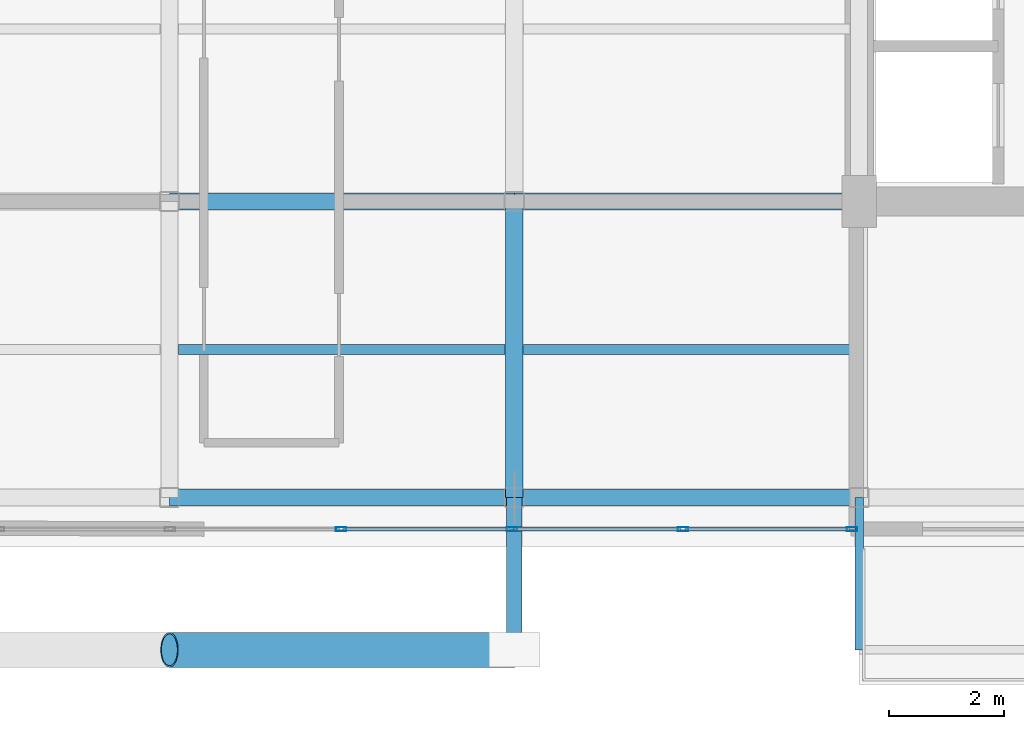
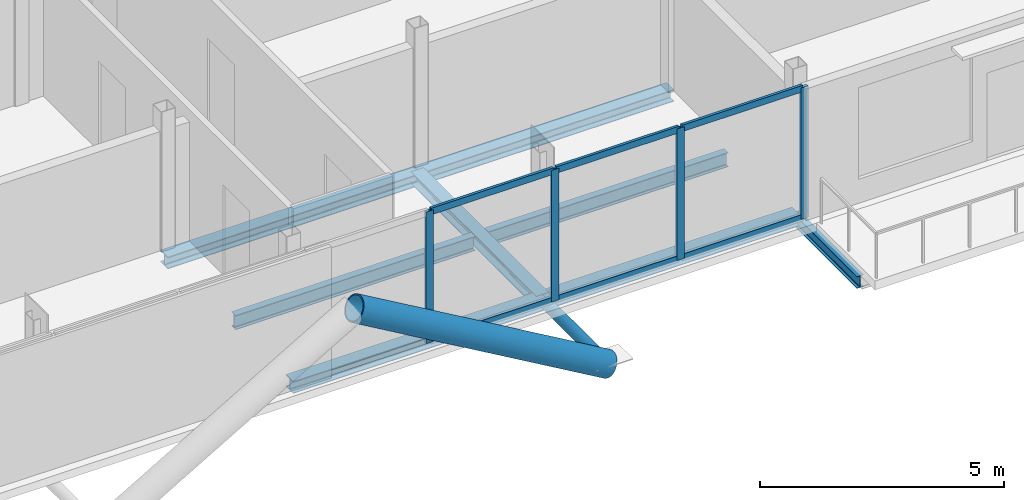
# One storey, part 5 of 19: 12 members, 8 beams, 1 element without a shape of its own.
"""IFC4 building model written with IfcOpenShell, lengths in metres."""

from ifc_helpers import new_model, si_unit, direction, frame, origin, origin_2d, place, context, subcontext, project, spatial, hollow_rectangle, hollow_circle, i_section, extrude, material, layer, layer_set, material_profile, profile_set, type_object, element, aggregate, save


model = new_model("IFC4")

# Units and contexts
model_context = context("Model", 3, precision=1e-05, world=origin(), true_north=direction((0.0, 1.0)))
body_context = subcontext(model_context, "Body", "Model", "MODEL_VIEW")
ifc_project = project(units=[si_unit("LENGTHUNIT", "METRE"), si_unit("AREAUNIT", "SQUARE_METRE"), si_unit("VOLUMEUNIT", "CUBIC_METRE"), si_unit("PLANEANGLEUNIT", "RADIAN"), si_unit("MASSUNIT", "GRAM", prefix="KILO"), si_unit("THERMODYNAMICTEMPERATUREUNIT", "KELVIN"), si_unit("POWERUNIT", "WATT")], contexts=[model_context])

# Site, building, storey
site_placement = place(None, origin())
site = spatial("IfcSite", under=ifc_project, at=site_placement, CompositionType="ELEMENT")
building_placement = place(site_placement, origin())
building = spatial("IfcBuilding", under=site, at=building_placement, Name="Svarakhadi Broadcast Tower", CompositionType="ELEMENT")
storey_placement = place(building_placement, frame((0.0, 0.0, 285.199951171875)))
storey = spatial("IfcBuildingStorey", under=building, at=storey_placement, Name="L72", CompositionType="ELEMENT", Elevation=285.199951171875)

# Beams
ifc_material_1 = material(Name="Steel S355J2 (IS 2062 E350C)", Category="steel")
ifc_material_profile_1 = material_profile(ifc_material_1, i_section(OverallWidth=0.169921875, OverallDepth=0.360107421875, WebThickness=0.008056640625, FlangeThickness=0.0126953125, FilletRadius=0.01806640625, at=origin_2d()), Name="NPB 360x170x57")
ifc_profile_set_1 = profile_set([ifc_material_profile_1], Name="Steel S355J2 (IS 2062 E350C)")
beam_type_1 = type_object("IfcBeamType", Name="Beam_NPB360", PredefinedType="BEAM", material=ifc_profile_set_1)
for number, where, z_axis, x_axis, name in (
    (1, (12.159912109375, 3.425048828125, -0.3798828125), (1.0, 0.0, 0.0), (0.0, 1.0, 0.0), "L72 Secondary Composite Beam SB007"),
    (2, (18.159912109375, 3.425048828125, -0.3798828125), (1.0, 0.0, 0.0), (0.0, 1.0, 0.0), "L72 Secondary Composite Beam SB010"),
):
    element("IfcBeam", number, at=place(storey_placement, frame(where, z_axis=z_axis, x_axis=x_axis)), inside=storey, type_object=beam_type_1, Name=name, PredefinedType="BEAM", context=body_context, shape_type="SweptSolid", body=[
        extrude(i_section(OverallWidth=0.169921875, OverallDepth=0.360107421875, WebThickness=0.008056640625, FlangeThickness=0.0126953125, FilletRadius=0.01806640625, at=origin_2d()), origin(), (0.0, 0.0, 1.0), 5.68017578125),
    ])

# Curtain wall, members
ifc_material_2 = material(Name="Anodised Bronze Aluminium AA 6063-T6", Category="aluminium")
ifc_layer = layer(ifc_material_2, 0.179931640625)
ifc_layer_set = layer_set([ifc_layer], Name="Anodised Bronze Aluminium AA 6063-T6")
curtain_wall_type = type_object("IfcCurtainWallType", Name="CW_Sys_05", PredefinedType="NOTDEFINED", material=ifc_layer_set)
curtain_wall_placement = place(storey_placement, origin())
curtain_wall = element("IfcCurtainWall", 3, at=curtain_wall_placement, inside=storey, type_object=curtain_wall_type, Name="L72 South Curtain Wall 15", PredefinedType="NOTDEFINED")
ifc_material_profile_2 = material_profile(ifc_material_2, hollow_rectangle(XDim=0.070068359375, YDim=0.179931640625, WallThickness=0.005615234375, at=origin_2d()), Name="ALU MULLION 180x70x6")
ifc_profile_set_2 = profile_set([ifc_material_profile_2], Name="Anodised Bronze Aluminium AA 6063-T6")
member_type_1 = type_object("IfcMemberType", Name="CW_Sys_05_Mul", PredefinedType="MULLION", material=ifc_profile_set_2)
member_1_placement = place(storey_placement, frame((23.875, 0.300048828125, 0.0), z_axis=(0.0, 0.0, 1.0), x_axis=(0.0, -1.0, 0.0)))
member_1 = element("IfcMember", 4, at=member_1_placement, type_object=member_type_1, Name="CW-05 mullion 1", PredefinedType="MULLION", context=body_context, shape_type="SweptSolid", body=[
    extrude(hollow_rectangle(XDim=0.070068359375, YDim=0.179931640625, WallThickness=0.005615234375, at=origin_2d()), origin(), (0.0, 0.0, 1.0), 3.300048828125),
])
member_2_placement = place(storey_placement, frame((20.935791015625, 0.300048828125, 0.0), z_axis=(0.0, 0.0, 1.0), x_axis=(0.0, -1.0, 0.0)))
member_2 = element("IfcMember", 5, at=member_2_placement, type_object=member_type_1, Name="CW-05 mullion 2", PredefinedType="MULLION", context=body_context, shape_type="SweptSolid", body=[
    extrude(hollow_rectangle(XDim=0.070068359375, YDim=0.179931640625, WallThickness=0.005615234375, at=origin_2d()), origin(), (0.0, 0.0, 1.0), 3.300048828125),
])
member_3_placement = place(storey_placement, frame((17.96142578125, 0.300048828125, 0.0), z_axis=(0.0, 0.0, 1.0), x_axis=(0.0, -1.0, 0.0)))
member_3 = element("IfcMember", 6, at=member_3_placement, type_object=member_type_1, Name="CW-05 mullion 3", PredefinedType="MULLION", context=body_context, shape_type="SweptSolid", body=[
    extrude(hollow_rectangle(XDim=0.070068359375, YDim=0.179931640625, WallThickness=0.005615234375, at=origin_2d()), origin(), (0.0, 0.0, 1.0), 3.300048828125),
])
member_4_placement = place(storey_placement, frame((14.987060546875, 0.300048828125, 0.0), z_axis=(0.0, 0.0, 1.0), x_axis=(0.0, -1.0, 0.0)))
member_4 = element("IfcMember", 7, at=member_4_placement, type_object=member_type_1, Name="CW-05 mullion 4", PredefinedType="MULLION", context=body_context, shape_type="SweptSolid", body=[
    extrude(hollow_rectangle(XDim=0.070068359375, YDim=0.179931640625, WallThickness=0.005615234375, at=origin_2d()), origin(), (0.0, 0.0, 1.0), 3.300048828125),
])
ifc_material_profile_3 = material_profile(ifc_material_2, hollow_rectangle(XDim=0.06494140625, YDim=0.1650390625, WallThickness=0.0048828125, at=origin_2d()), Name="ALU TRANSOM 165x65x5")
ifc_profile_set_3 = profile_set([ifc_material_profile_3], Name="Anodised Bronze Aluminium AA 6063-T6")
member_type_2 = type_object("IfcMemberType", Name="CW_Sys_05_Trn", PredefinedType="USERDEFINED", material=ifc_profile_set_3)
member_5_placement = place(storey_placement, frame((23.840087890625, 0.300048828125, 0.032470703125), z_axis=(-1.0, 0.0, 0.0), x_axis=(0.0, -1.0, 0.0)))
member_5 = element("IfcMember", 8, at=member_5_placement, type_object=member_type_2, Name="CW-05 transom 1.1", ObjectType="TRANSOM", PredefinedType="USERDEFINED", context=body_context, shape_type="SweptSolid", body=[
    extrude(hollow_rectangle(XDim=0.06494140625, YDim=0.1650390625, WallThickness=0.0048828125, at=origin_2d()), origin(), (0.0, 0.0, 1.0), 2.869384765625),
])
member_6_placement = place(storey_placement, frame((23.840087890625, 0.300048828125, 3.267578125), z_axis=(-1.0, 0.0, 0.0), x_axis=(0.0, -1.0, 0.0)))
member_6 = element("IfcMember", 9, at=member_6_placement, type_object=member_type_2, Name="CW-05 transom 1.2", ObjectType="TRANSOM", PredefinedType="USERDEFINED", context=body_context, shape_type="SweptSolid", body=[
    extrude(hollow_rectangle(XDim=0.06494140625, YDim=0.1650390625, WallThickness=0.0048828125, at=origin_2d()), origin(), (0.0, 0.0, 1.0), 2.869384765625),
])
member_7_placement = place(storey_placement, frame((20.900634765625, 0.300048828125, 0.032470703125), z_axis=(-1.0, 0.0, 0.0), x_axis=(0.0, -1.0, 0.0)))
member_7 = element("IfcMember", 10, at=member_7_placement, type_object=member_type_2, Name="CW-05 transom 2.1", ObjectType="TRANSOM", PredefinedType="USERDEFINED", context=body_context, shape_type="SweptSolid", body=[
    extrude(hollow_rectangle(XDim=0.06494140625, YDim=0.1650390625, WallThickness=0.0048828125, at=origin_2d()), origin(), (0.0, 0.0, 1.0), 2.904296875),
])
member_8_placement = place(storey_placement, frame((20.900634765625, 0.300048828125, 3.267578125), z_axis=(-1.0, 0.0, 0.0), x_axis=(0.0, -1.0, 0.0)))
member_8 = element("IfcMember", 11, at=member_8_placement, type_object=member_type_2, Name="CW-05 transom 2.2", ObjectType="TRANSOM", PredefinedType="USERDEFINED", context=body_context, shape_type="SweptSolid", body=[
    extrude(hollow_rectangle(XDim=0.06494140625, YDim=0.1650390625, WallThickness=0.0048828125, at=origin_2d()), origin(), (0.0, 0.0, 1.0), 2.904296875),
])
member_9_placement = place(storey_placement, frame((17.926513671875, 0.300048828125, 0.032470703125), z_axis=(-1.0, 0.0, 0.0), x_axis=(0.0, -1.0, 0.0)))
member_9 = element("IfcMember", 12, at=member_9_placement, type_object=member_type_2, Name="CW-05 transom 3.1", ObjectType="TRANSOM", PredefinedType="USERDEFINED", context=body_context, shape_type="SweptSolid", body=[
    extrude(hollow_rectangle(XDim=0.06494140625, YDim=0.1650390625, WallThickness=0.0048828125, at=origin_2d()), origin(), (0.0, 0.0, 1.0), 2.904296875),
])
member_10_placement = place(storey_placement, frame((17.926513671875, 0.300048828125, 3.267578125), z_axis=(-1.0, 0.0, 0.0), x_axis=(0.0, -1.0, 0.0)))
member_10 = element("IfcMember", 13, at=member_10_placement, type_object=member_type_2, Name="CW-05 transom 3.2", ObjectType="TRANSOM", PredefinedType="USERDEFINED", context=body_context, shape_type="SweptSolid", body=[
    extrude(hollow_rectangle(XDim=0.06494140625, YDim=0.1650390625, WallThickness=0.0048828125, at=origin_2d()), origin(), (0.0, 0.0, 1.0), 2.904296875),
])
aggregate(curtain_wall, [member_1, member_2, member_3, member_4, member_5, member_6, member_7, member_8, member_9, member_10])

# Members
ifc_material_3 = material(Name="Steel S460ML (IS 2062 E450BR)", Category="steel")
ifc_material_profile_4 = material_profile(ifc_material_3, hollow_circle(Radius=0.304931640625, WallThickness=0.030029296875, at=origin_2d()), Name="CHS 610x30")
ifc_profile_set_4 = profile_set([ifc_material_profile_4], Name="Steel S460ML (IS 2062 E450BR)")
member_type_3 = type_object("IfcMemberType", Name="Exo_Brace_CHS610", PredefinedType="BRACE", material=ifc_profile_set_4)
member_11_placement = place(storey_placement, frame((18.0, -1.800048828125, -0.33642578125), z_axis=(-0.863778900898, 0.0, 0.503871025524), x_axis=(0.0, -1.0, 0.0)))
element("IfcMember", 14, at=member_11_placement, inside=storey, type_object=member_type_3, Name="L72 Exposed Bronze Exoskeleton Diagonal S02", PredefinedType="BRACE", context=body_context, shape_type="SweptSolid", body=[
    extrude(hollow_circle(Radius=0.304931640625, WallThickness=0.030029296875, at=origin_2d()), origin(), (0.0, 0.0, 1.0), 6.9462890625),
])
ifc_material_profile_5 = material_profile(ifc_material_3, hollow_circle(Radius=0.136474609375, WallThickness=0.012451171875, at=origin_2d()), Name="CHS 273x12.5")
ifc_profile_set_5 = profile_set([ifc_material_profile_5], Name="Steel S460ML (IS 2062 E450BR)")
member_type_4 = type_object("IfcMemberType", Name="Exo_Radial_Strut_Z3", PredefinedType="STRUT", material=ifc_profile_set_5)
member_12_placement = place(storey_placement, frame((18.0, -1.800048828125, -0.33642578125), z_axis=(0.0, 1.0, 0.0), x_axis=(-1.0, 0.0, 0.0)))
element("IfcMember", 15, at=member_12_placement, inside=storey, type_object=member_type_4, Name="L72 Exoskeleton Radial Tie Strut S02", PredefinedType="STRUT", context=body_context, shape_type="SweptSolid", body=[
    extrude(hollow_circle(Radius=0.136474609375, WallThickness=0.012451171875, at=origin_2d()), origin(), (0.0, 0.0, 1.0), 2.650146484375),
])

# Beams
ifc_material_profile_6 = material_profile(ifc_material_1, i_section(OverallWidth=0.300048828125, OverallDepth=0.300048828125, WebThickness=0.010986328125, FlangeThickness=0.01904296875, FilletRadius=0.027099609375, at=origin_2d()), Name="WPB 300x300x117")
ifc_profile_set_6 = profile_set([ifc_material_profile_6], Name="Steel S355J2 (IS 2062 E350C)")
beam_type_2 = type_object("IfcBeamType", Name="Girder_WPB300", PredefinedType="USERDEFINED", material=ifc_profile_set_6)
for number, where, z_axis, x_axis, name in (
    (16, (12.0, 0.85009765625, -0.349853515625), (1.0, 0.0, 0.0), (0.0, 1.0, 0.0), "L72 Primary E-W Girder G005"),
    (17, (18.0, 0.85009765625, -0.349853515625), (1.0, 0.0, 0.0), (0.0, 1.0, 0.0), "L72 Primary E-W Girder G006"),
    (18, (12.0, 6.0, -0.349853515625), (1.0, 0.0, 0.0), (0.0, 1.0, 0.0), "L72 Primary E-W Girder G010"),
    (19, (18.0, 6.0, -0.349853515625), (1.0, 0.0, 0.0), (0.0, 1.0, 0.0), "L72 Primary E-W Girder G011"),
):
    element("IfcBeam", number, at=place(storey_placement, frame(where, z_axis=z_axis, x_axis=x_axis)), inside=storey, type_object=beam_type_2, Name=name, ObjectType="GIRDER", PredefinedType="USERDEFINED", context=body_context, shape_type="SweptSolid", body=[
        extrude(i_section(OverallWidth=0.300048828125, OverallDepth=0.300048828125, WebThickness=0.010986328125, FlangeThickness=0.01904296875, FilletRadius=0.027099609375, at=origin_2d()), origin(), (0.0, 0.0, 1.0), 6.0),
    ])
beam_1_placement = place(storey_placement, frame((18.0, 0.85009765625, -0.349853515625), z_axis=(0.0, 1.0, 0.0), x_axis=(-1.0, 0.0, 0.0)))
element("IfcBeam", 20, at=beam_1_placement, inside=storey, type_object=beam_type_2, Name="L72 Primary N-S Girder G036", ObjectType="GIRDER", PredefinedType="USERDEFINED", context=body_context, shape_type="SweptSolid", body=[
    extrude(i_section(OverallWidth=0.300048828125, OverallDepth=0.300048828125, WebThickness=0.010986328125, FlangeThickness=0.01904296875, FilletRadius=0.027099609375, at=origin_2d()), origin(), (0.0, 0.0, 1.0), 5.14990234375),
])
ifc_material_profile_7 = material_profile(ifc_material_1, i_section(OverallWidth=0.14990234375, OverallDepth=0.300048828125, WebThickness=0.007080078125, FlangeThickness=0.0107421875, FilletRadius=0.014892578125, at=origin_2d()), Name="NPB 300x150x37")
ifc_profile_set_7 = profile_set([ifc_material_profile_7], Name="Steel S355J2 (IS 2062 E350C)")
beam_type_3 = type_object("IfcBeamType", Name="Spandrel_NPB300", PredefinedType="SPANDREL", material=ifc_profile_set_7)
beam_2_placement = place(storey_placement, frame((24.0, 0.85009765625, -0.375), z_axis=(0.0, -1.0, 0.0), x_axis=(1.0, 0.0, 0.0)))
element("IfcBeam", 21, at=beam_2_placement, inside=storey, type_object=beam_type_3, Name="L72 Balcony Cantilever Bracket 1A", PredefinedType="SPANDREL", context=body_context, shape_type="SweptSolid", body=[
    extrude(i_section(OverallWidth=0.14990234375, OverallDepth=0.300048828125, WebThickness=0.007080078125, FlangeThickness=0.0107421875, FilletRadius=0.014892578125, at=origin_2d()), origin(), (0.0, 0.0, 1.0), 2.650146484375),
])

save(model, "model.ifc")
